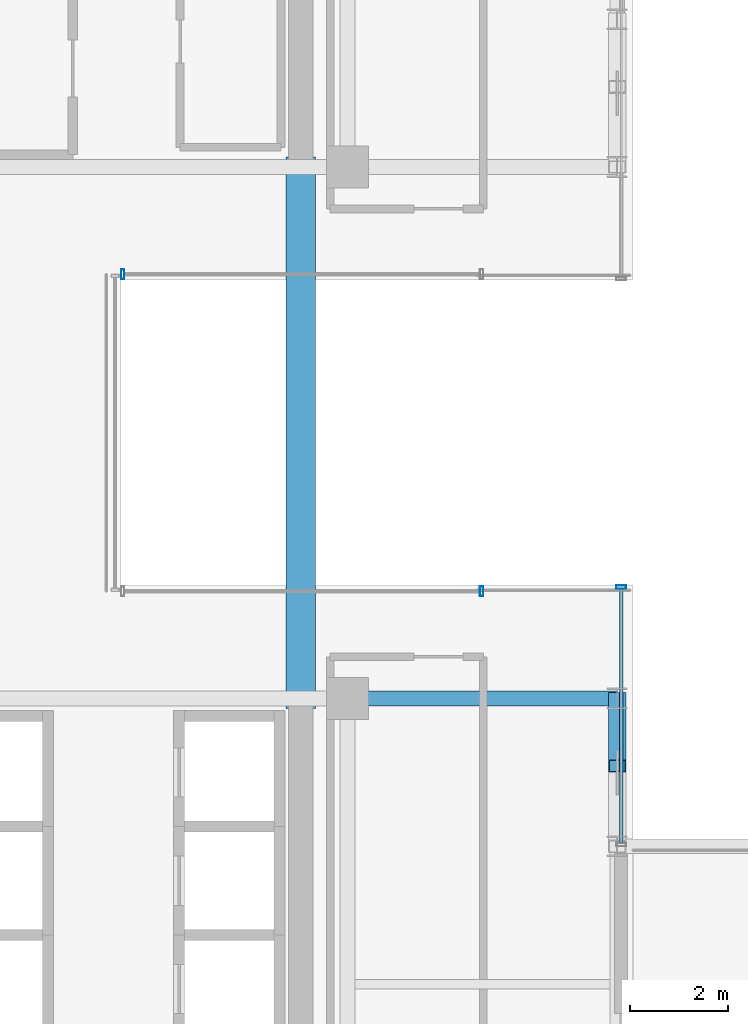
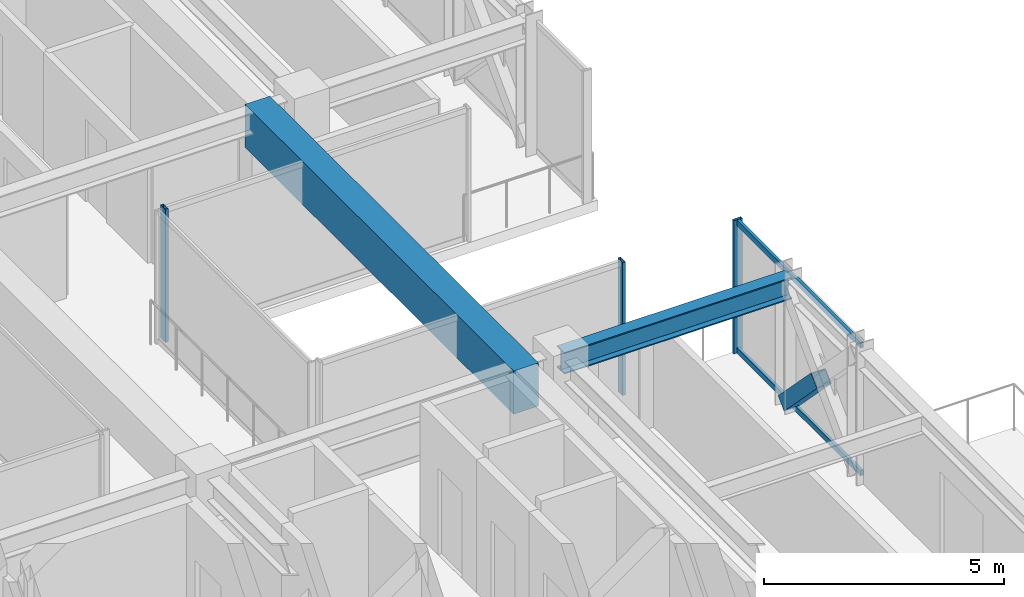
# One storey, part 17 of 36: 6 members, 2 beams, 3 elements without a shape of their own.
"""IFC4 building model written with IfcOpenShell, lengths in metres."""

from ifc_helpers import new_model, si_unit, direction, frame, origin, origin_2d, place, context, subcontext, project, spatial, rectangle, hollow_rectangle, i_section, extrude, source, transform, mapped, material, material_profile, profile_set, type_object, element, aggregate, save


model = new_model("IFC4")

# Units and contexts
model_context = context("Model", 3, precision=1e-05, world=origin(), true_north=direction((0.0, 1.0)))
body_context = subcontext(model_context, "Body", "Model", "MODEL_VIEW")
ifc_project = project(units=[si_unit("LENGTHUNIT", "METRE"), si_unit("AREAUNIT", "SQUARE_METRE"), si_unit("VOLUMEUNIT", "CUBIC_METRE"), si_unit("PLANEANGLEUNIT", "RADIAN"), si_unit("MASSUNIT", "GRAM", prefix="KILO")], contexts=[model_context])

# Site, building, storey
site_placement = place(None, origin())
site = spatial("IfcSite", under=ifc_project, at=site_placement, CompositionType="ELEMENT")
building_placement = place(site_placement, origin())
building = spatial("IfcBuilding", under=site, at=building_placement, Name="Nahalor Promenade Grand Hotel", CompositionType="ELEMENT")
storey_placement = place(building_placement, frame((0.0, 0.0, 174.550048828125)))
storey = spatial("IfcBuildingStorey", under=building, at=storey_placement, Name="L44", CompositionType="ELEMENT", Elevation=174.550048828125)

# Beams
ifc_material_1 = material(Name="Concrete B-60 (C50/60)", Category="concrete")
ifc_material_profile_1 = material_profile(ifc_material_1, rectangle(XDim=0.6, YDim=1.1, at=origin_2d()), Name="RC 600x1100")
ifc_profile_set_1 = profile_set([ifc_material_profile_1], Name="Concrete B-60 (C50/60)")
beam_type_1 = type_object("IfcBeamType", Name="Beam-Lintel-RC1100", PredefinedType="LINTEL", material=ifc_profile_set_1)
shared_shape_1 = source(origin(), body_context, "Body", "SweptSolid", [
    extrude(rectangle(XDim=0.6, YDim=1.1, at=origin_2d()), origin(), (0.0, 0.0, 1.0), 11.2001953125),
])
beam_1_placement = place(storey_placement, frame((16.050048828125, -5.60009765625, 2.83984375), z_axis=(0.0, 1.0, 0.0), x_axis=(-1.0, 0.0, 0.0)))
element("IfcBeam", 1, at=beam_1_placement, inside=storey, type_object=beam_type_1, Name="BM-L44-LINT-E", PredefinedType="LINTEL", context=body_context, shape_type="MappedRepresentation", body=[
    mapped(shared_shape_1, transform((0.0, 0.0, 0.0), scale=1.0)),
])
ifc_material_2 = material(Name="Steel S355JR", Category="steel")
ifc_material_profile_2 = material_profile(ifc_material_2, i_section(OverallWidth=0.3, OverallDepth=0.55, WebThickness=0.015, FlangeThickness=0.029, at=origin_2d()), Name="HEB 550")
ifc_profile_set_2 = profile_set([ifc_material_profile_2], Name="Steel S355JR")
beam_type_2 = type_object("IfcBeamType", Name="Beam-Girder-HEB550", PredefinedType="BEAM", material=ifc_profile_set_2)
shared_shape_2 = source(origin(), body_context, "Body", "SweptSolid", [
    extrude(i_section(OverallWidth=0.3, OverallDepth=0.55, WebThickness=0.015, FlangeThickness=0.029, at=origin_2d()), origin(), (0.0, 0.0, 1.0), 5.47998046875),
])
beam_2_placement = place(storey_placement, frame((17.0, -5.39990234375, 3.114990234375), z_axis=(1.0, 0.0, 0.0), x_axis=(0.0, 1.0, 0.0)))
element("IfcBeam", 2, at=beam_2_placement, inside=storey, type_object=beam_type_2, Name="BM-L44-GX-1-6", PredefinedType="BEAM", context=body_context, shape_type="MappedRepresentation", body=[
    mapped(shared_shape_2, transform((0.0, 0.0, 0.0), scale=1.0)),
])

# Member
ifc_material_profile_3 = material_profile(ifc_material_2, hollow_rectangle(XDim=0.35, YDim=0.35, WallThickness=0.02, at=origin_2d()), Name="SHS 350x350x20")
ifc_profile_set_3 = profile_set([ifc_material_profile_3], Name="Steel S355JR")
member_type_1 = type_object("IfcMemberType", Name="Mem-VoidBrace-SHS350", PredefinedType="BRACE", material=ifc_profile_set_3)
shared_shape_3 = source(origin(), body_context, "Body", "SweptSolid", [
    extrude(hollow_rectangle(XDim=0.35, YDim=0.35, WallThickness=0.02, at=origin_2d()), origin(), (0.0, 0.0, 1.0), 1.966552734375),
])
member_1_placement = place(storey_placement, frame((22.47998046875, -5.39990234375, 0.14990234375), z_axis=(0.0, -0.696601340579, 0.71745841155), x_axis=(1.0, 0.0, 0.0)))
element("IfcMember", 3, at=member_1_placement, inside=storey, type_object=member_type_1, Name="EXO-L44-VX2-E0A", PredefinedType="BRACE", context=body_context, shape_type="MappedRepresentation", body=[
    mapped(shared_shape_3, transform((0.0, 0.0, 0.0), scale=1.0)),
])

# Curtain wall, members
ifc_material_3 = material(Name="Anodised Bronze Aluminium EN AW-6063 T6", Category="aluminium")
curtain_wall_type = type_object("IfcCurtainWallType", Name="CW3 Elliptical-Void Collar Unitised Curtain Wall", PredefinedType="USERDEFINED", material=ifc_material_3)
curtain_wall_1_placement = place(storey_placement, origin())
curtain_wall_1 = element("IfcCurtainWall", 4, at=curtain_wall_1_placement, inside=storey, type_object=curtain_wall_type, Name="L44 Curtain Wall CW-L44-E-3", ObjectType="UNITISED_CURTAIN_WALL", PredefinedType="USERDEFINED")
ifc_material_profile_4 = material_profile(ifc_material_3, hollow_rectangle(XDim=0.07, YDim=0.14, WallThickness=0.004, at=origin_2d()), Name="CWT 70x140x4")
ifc_profile_set_4 = profile_set([ifc_material_profile_4], Name="Anodised Bronze Aluminium EN AW-6063 T6")
member_type_2 = type_object("IfcMemberType", Name="CWT3 Void Collar Transom 70x140", PredefinedType="USERDEFINED", material=ifc_profile_set_4)
shared_shape_4 = source(origin(), body_context, "Body", "SweptSolid", [
    extrude(hollow_rectangle(XDim=0.07, YDim=0.14, WallThickness=0.004, at=origin_2d()), origin(), (0.0, 0.0, 1.0), 5.16015625),
])
member_2_placement = place(storey_placement, frame((22.56005859375, -8.330078125, 0.070068359375), z_axis=(0.0, 1.0, 0.0), x_axis=(-1.0, 0.0, 0.0)))
member_2 = element("IfcMember", 5, at=member_2_placement, type_object=member_type_2, Name="CW-L44-E-3 Transom 0-0", ObjectType="TRANSOM", PredefinedType="USERDEFINED", context=body_context, shape_type="MappedRepresentation", body=[
    mapped(shared_shape_4, transform((0.0, 0.0, 0.0), scale=1.0)),
])
member_3_placement = place(storey_placement, frame((22.56005859375, -8.330078125, 3.320068359375), z_axis=(0.0, 1.0, 0.0), x_axis=(-1.0, 0.0, 0.0)))
member_3 = element("IfcMember", 6, at=member_3_placement, type_object=member_type_2, Name="CW-L44-E-3 Transom 0-1", ObjectType="TRANSOM", PredefinedType="USERDEFINED", context=body_context, shape_type="MappedRepresentation", body=[
    mapped(shared_shape_4, transform((0.0, 0.0, 0.0), scale=1.0)),
])
ifc_material_profile_5 = material_profile(ifc_material_3, hollow_rectangle(XDim=0.07, YDim=0.2, WallThickness=0.005, at=origin_2d()), Name="CWM 70x200x5")
ifc_profile_set_5 = profile_set([ifc_material_profile_5], Name="Anodised Bronze Aluminium EN AW-6063 T6")
member_type_3 = type_object("IfcMemberType", Name="CWM3 Void Collar Mullion 70x200", PredefinedType="MULLION", material=ifc_profile_set_5)
shared_shape_5 = source(origin(), body_context, "Body", "SweptSolid", [
    extrude(hollow_rectangle(XDim=0.07, YDim=0.2, WallThickness=0.005, at=origin_2d()), origin(), (0.0, 0.0, 1.0), 3.389892578125),
])
member_4_placement = place(storey_placement, frame((22.56005859375, -3.135009765625, 0.0), z_axis=(0.0, 0.0, 1.0), x_axis=(0.0, 1.0, 0.0)))
member_4 = element("IfcMember", 7, at=member_4_placement, type_object=member_type_3, Name="CW-L44-E-3 Mullion 1", PredefinedType="MULLION", context=body_context, shape_type="MappedRepresentation", body=[
    mapped(shared_shape_5, transform((0.0, 0.0, 0.0), scale=1.0)),
])
aggregate(curtain_wall_1, [member_4, member_2, member_3])

# Curtain wall, member
curtain_wall_2_placement = place(storey_placement, origin())
curtain_wall_2 = element("IfcCurtainWall", 8, at=curtain_wall_2_placement, inside=storey, type_object=curtain_wall_type, Name="L44 Curtain Wall CW-L44-VOID-ES1", ObjectType="UNITISED_CURTAIN_WALL", PredefinedType="USERDEFINED")
member_5_placement = place(storey_placement, frame((19.72509765625, -3.219970703125, 0.0), z_axis=(0.0, 0.0, 1.0), x_axis=(1.0, 0.0, 0.0)))
member_5 = element("IfcMember", 9, at=member_5_placement, type_object=member_type_3, Name="CW-L44-VOID-ES1 Mullion 1", PredefinedType="MULLION", context=body_context, shape_type="MappedRepresentation", body=[
    mapped(shared_shape_5, transform((0.0, 0.0, 0.0), scale=1.0)),
])
aggregate(curtain_wall_2, [member_5])

curtain_wall_3_placement = place(storey_placement, origin())
curtain_wall_3 = element("IfcCurtainWall", 10, at=curtain_wall_3_placement, inside=storey, type_object=curtain_wall_type, Name="L44 Curtain Wall CW-L44-VOID-EN1", ObjectType="UNITISED_CURTAIN_WALL", PredefinedType="USERDEFINED")
member_6_placement = place(storey_placement, frame((12.43505859375, 3.219970703125, 0.0), z_axis=(0.0, 0.0, 1.0), x_axis=(1.0, 0.0, 0.0)))
member_6 = element("IfcMember", 11, at=member_6_placement, type_object=member_type_3, Name="CW-L44-VOID-EN1 Mullion 0", PredefinedType="MULLION", context=body_context, shape_type="MappedRepresentation", body=[
    mapped(shared_shape_5, transform((0.0, 0.0, 0.0), scale=1.0)),
])
aggregate(curtain_wall_3, [member_6])

save(model, "model.ifc")
